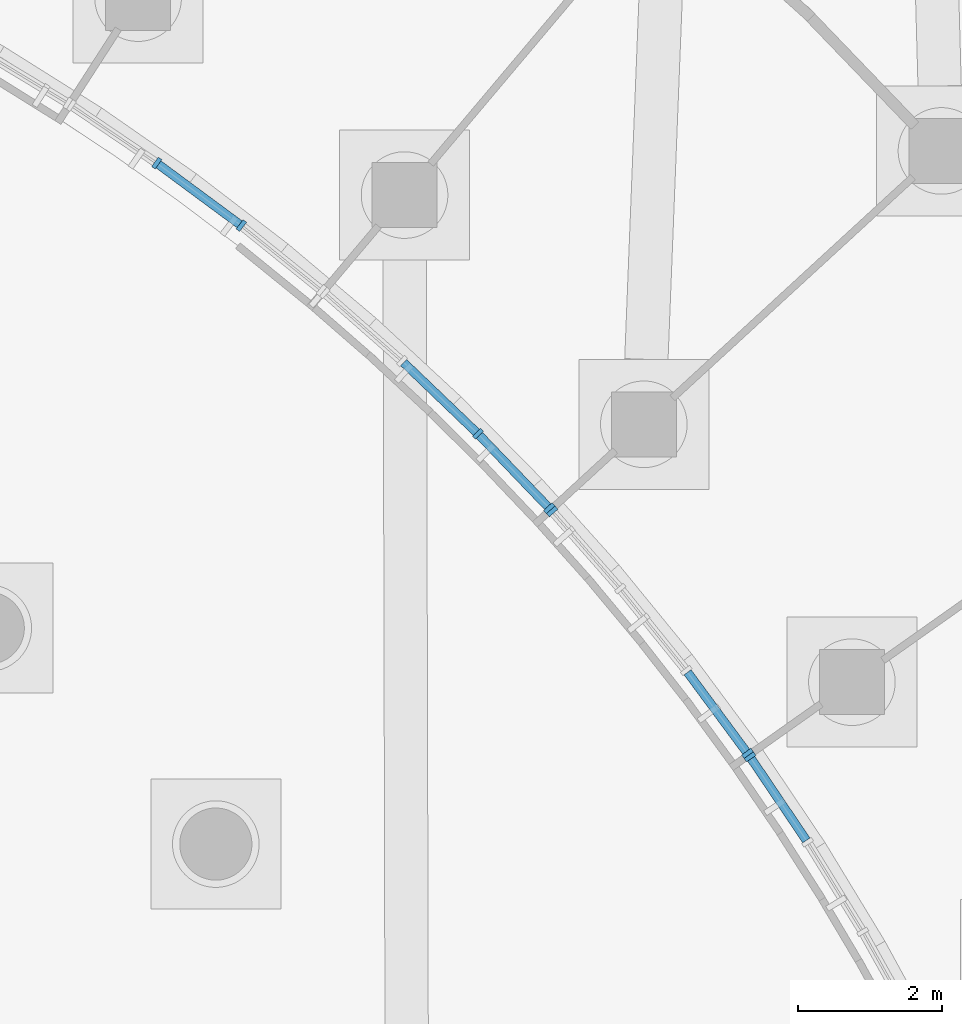
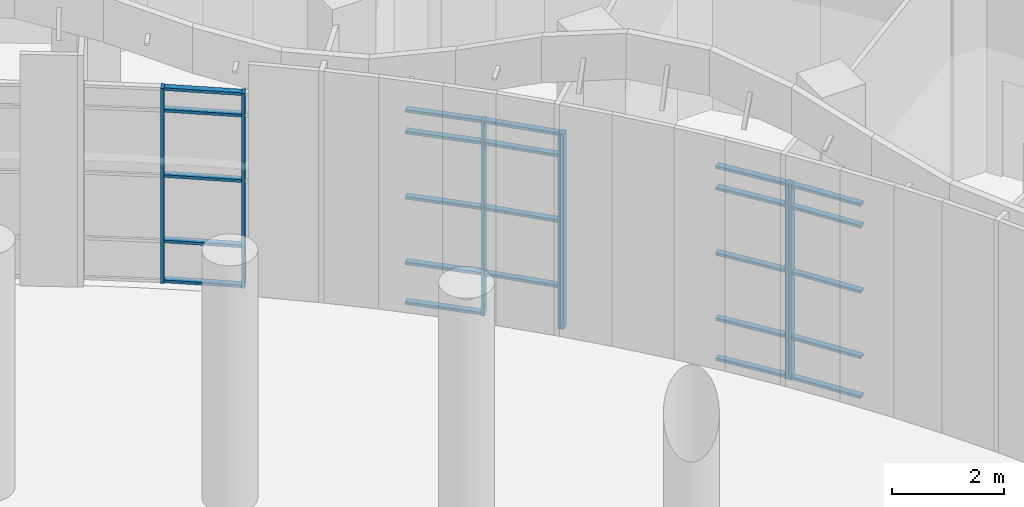
# One storey, part 32 of 146: 31 members, 4 elements without a shape of their own.
"""IFC4 building model written with IfcOpenShell, lengths in metres."""

from ifc_helpers import new_model, si_unit, direction, frame, origin, origin_2d, place, context, subcontext, project, spatial, rectangle, extrude, material, material_profile, profile_set, type_object, element, aggregate, save


model = new_model("IFC4")

# Units and contexts
model_context = context("Model", 3, precision=1e-05, world=origin(), true_north=direction((0.0, 1.0)))
body_context = subcontext(model_context, "Body", "Model", "MODEL_VIEW")
ifc_project = project(units=[si_unit("LENGTHUNIT", "METRE"), si_unit("AREAUNIT", "SQUARE_METRE"), si_unit("VOLUMEUNIT", "CUBIC_METRE"), si_unit("PLANEANGLEUNIT", "RADIAN"), si_unit("MASSUNIT", "GRAM", prefix="KILO")], contexts=[model_context])

# Site, building, storey
site_placement = place(None, origin())
site = spatial("IfcSite", under=ifc_project, at=site_placement, CompositionType="ELEMENT")
building_placement = place(site_placement, origin())
building = spatial("IfcBuilding", under=site, at=building_placement, Name="Bougainvillea Quay General Hospital", CompositionType="ELEMENT")
storey_placement = place(building_placement, origin())
storey = spatial("IfcBuildingStorey", under=building, at=storey_placement, Name="L00", CompositionType="ELEMENT", Elevation=0.0)

# Curtain wall, members
ifc_material_1 = material(Name="Aluminium curtain wall system, powder-coated glazed", Category="aluminium")
curtain_wall_type = type_object("IfcCurtainWallType", Name="Unitised curtain wall CW-2100", PredefinedType="NOTDEFINED", material=ifc_material_1)
curtain_wall_1_placement = place(storey_placement, origin())
curtain_wall_1 = element("IfcCurtainWall", 1, at=curtain_wall_1_placement, inside=storey, type_object=curtain_wall_type, Name="CW-E02 a21b1", PredefinedType="NOTDEFINED")
ifc_material_2 = material(Name="Aluminium mullion, powder-coated charcoal", Category="aluminium")
ifc_material_profile_1 = material_profile(ifc_material_2, rectangle(XDim=0.159912109375, YDim=0.06005859375, at=origin_2d()))
ifc_profile_set_1 = profile_set([ifc_material_profile_1], Name="Aluminium mullion, powder-coated charcoal")
member_type_1 = type_object("IfcMemberType", Name="Curtain wall mullion 160x60", PredefinedType="MULLION", material=ifc_profile_set_1)
member_1_placement = place(storey_placement, frame((128.966796875, 49.97021484375, 0.0), z_axis=(0.0, 0.0, 1.0), x_axis=(0.577135687937, 0.816648270499, 0.0)))
member_1 = element("IfcMember", 2, at=member_1_placement, type_object=member_type_1, Name="CW-E02 mullion 2", PredefinedType="MULLION", context=body_context, shape_type="SweptSolid", body=[
    extrude(rectangle(XDim=0.159912109375, YDim=0.06005859375, at=origin_2d()), origin(), (0.0, 0.0, 1.0), 4.25),
])
member_2_placement = place(storey_placement, frame((130.138427734375, 49.104248046875, 0.0), z_axis=(0.0, 0.0, 1.0), x_axis=(0.611342897557, 0.791365820343, 0.0)))
member_2 = element("IfcMember", 3, at=member_2_placement, type_object=member_type_1, Name="CW-E02 mullion 3", PredefinedType="MULLION", context=body_context, shape_type="SweptSolid", body=[
    extrude(rectangle(XDim=0.159912109375, YDim=0.06005859375, at=origin_2d()), origin(), (0.0, 0.0, 1.0), 4.25),
])

curtain_wall_2_placement = place(storey_placement, origin())
curtain_wall_2 = element("IfcCurtainWall", 4, at=curtain_wall_2_placement, inside=storey, type_object=curtain_wall_type, Name="CW-E03 a21b2", PredefinedType="NOTDEFINED")
member_3_placement = place(storey_placement, frame((133.417724609375, 46.218994140625, 0.0), z_axis=(0.0, 0.0, 1.0), x_axis=(0.707090325877, 0.707123236113, 0.0)))
member_3 = element("IfcMember", 5, at=member_3_placement, type_object=member_type_1, Name="CW-E03 mullion 3", PredefinedType="MULLION", context=body_context, shape_type="SweptSolid", body=[
    extrude(rectangle(XDim=0.159912109375, YDim=0.06005859375, at=origin_2d()), origin(), (0.0, 0.0, 1.0), 4.25),
])
member_4_placement = place(storey_placement, frame((134.405029296875, 45.188720703125, 0.0), z_axis=(0.0, 0.0, 1.0), x_axis=(0.721969584803, 0.691924792604, 0.0)))
member_4 = element("IfcMember", 6, at=member_4_placement, type_object=member_type_1, Name="CW-E03 mullion 4", PredefinedType="MULLION", context=body_context, shape_type="SweptSolid", body=[
    extrude(rectangle(XDim=0.159912109375, YDim=0.06005859375, at=origin_2d()), origin(), (0.0, 0.0, 1.0), 4.25),
])

curtain_wall_3_placement = place(storey_placement, origin())
curtain_wall_3 = element("IfcCurtainWall", 7, at=curtain_wall_3_placement, inside=storey, type_object=curtain_wall_type, Name="CW-E04 a21b3", PredefinedType="NOTDEFINED")
member_5_placement = place(storey_placement, frame((134.445556640625, 45.14453125, 0.0), z_axis=(0.0, 0.0, 1.0), x_axis=(0.750741694576, 0.660595873455, 0.0)))
member_5 = element("IfcMember", 8, at=member_5_placement, type_object=member_type_1, Name="CW-E04 mullion 1", PredefinedType="MULLION", context=body_context, shape_type="SweptSolid", body=[
    extrude(rectangle(XDim=0.159912109375, YDim=0.06005859375, at=origin_2d()), origin(), (0.0, 0.0, 1.0), 4.25),
])
member_6_placement = place(storey_placement, frame((137.1513671875, 41.792236328125, 0.0), z_axis=(0.0, 0.0, 1.0), x_axis=(0.804161282658, 0.594411163652, 0.0)))
member_6 = element("IfcMember", 9, at=member_6_placement, type_object=member_type_1, Name="CW-E04 mullion 4", PredefinedType="MULLION", context=body_context, shape_type="SweptSolid", body=[
    extrude(rectangle(XDim=0.159912109375, YDim=0.06005859375, at=origin_2d()), origin(), (0.0, 0.0, 1.0), 4.25),
])

# Curtain wall, member
curtain_wall_4_placement = place(storey_placement, origin())
curtain_wall_4 = element("IfcCurtainWall", 10, at=curtain_wall_4_placement, inside=storey, type_object=curtain_wall_type, Name="CW-E05 a21b4", PredefinedType="NOTDEFINED")
member_7_placement = place(storey_placement, frame((137.18603515625, 41.743408203125, 0.0), z_axis=(0.0, 0.0, 1.0), x_axis=(0.828712107033, 0.559675123314, 0.0)))
member_7 = element("IfcMember", 11, at=member_7_placement, type_object=member_type_1, Name="CW-E05 mullion 1", PredefinedType="MULLION", context=body_context, shape_type="SweptSolid", body=[
    extrude(rectangle(XDim=0.159912109375, YDim=0.06005859375, at=origin_2d()), origin(), (0.0, 0.0, 1.0), 4.25),
])

# Member
ifc_material_3 = material(Name="Aluminium transom, powder-coated charcoal", Category="aluminium")
ifc_material_profile_2 = material_profile(ifc_material_3, rectangle(XDim=0.1201171875, YDim=0.06005859375, at=origin_2d()))
ifc_profile_set_2 = profile_set([ifc_material_profile_2], Name="Aluminium transom, powder-coated charcoal")
member_type_2 = type_object("IfcMemberType", Name="Curtain wall transom 120x60", PredefinedType="USERDEFINED", material=ifc_profile_set_2)
member_8_placement = place(storey_placement, frame((128.990966796875, 49.952392578125, 0.030029296875), z_axis=(0.804154347071, -0.594420546488, 0.0), x_axis=(0.594420546488, 0.804154347071, 0.0)))
member_8 = element("IfcMember", 12, at=member_8_placement, type_object=member_type_2, Name="CW-E02 transom 2.1", ObjectType="TRANSOM", PredefinedType="USERDEFINED", context=body_context, shape_type="SweptSolid", body=[
    extrude(rectangle(XDim=0.1201171875, YDim=0.06005859375, at=origin_2d()), origin(), (0.0, 0.0, 1.0), 1.39697265625),
])

member_9_placement = place(storey_placement, frame((128.990966796875, 49.952392578125, 0.89990234375), z_axis=(0.804154347071, -0.594420546488, 0.0), x_axis=(0.594420546488, 0.804154347071, 0.0)))
member_9 = element("IfcMember", 13, at=member_9_placement, type_object=member_type_2, Name="CW-E02 transom 2.2", ObjectType="TRANSOM", PredefinedType="USERDEFINED", context=body_context, shape_type="SweptSolid", body=[
    extrude(rectangle(XDim=0.1201171875, YDim=0.06005859375, at=origin_2d()), origin(), (0.0, 0.0, 1.0), 1.39697265625),
])

member_10_placement = place(storey_placement, frame((128.990966796875, 49.952392578125, 2.324951171875), z_axis=(0.804154347071, -0.594420546488, 0.0), x_axis=(0.594420546488, 0.804154347071, 0.0)))
member_10 = element("IfcMember", 14, at=member_10_placement, type_object=member_type_2, Name="CW-E02 transom 2.3", ObjectType="TRANSOM", PredefinedType="USERDEFINED", context=body_context, shape_type="SweptSolid", body=[
    extrude(rectangle(XDim=0.1201171875, YDim=0.06005859375, at=origin_2d()), origin(), (0.0, 0.0, 1.0), 1.39697265625),
])

member_11_placement = place(storey_placement, frame((128.990966796875, 49.952392578125, 3.75), z_axis=(0.804154347071, -0.594420546488, 0.0), x_axis=(0.594420546488, 0.804154347071, 0.0)))
member_11 = element("IfcMember", 15, at=member_11_placement, type_object=member_type_2, Name="CW-E02 transom 2.4", ObjectType="TRANSOM", PredefinedType="USERDEFINED", context=body_context, shape_type="SweptSolid", body=[
    extrude(rectangle(XDim=0.1201171875, YDim=0.06005859375, at=origin_2d()), origin(), (0.0, 0.0, 1.0), 1.39697265625),
])

member_12_placement = place(storey_placement, frame((128.990966796875, 49.952392578125, 4.219970703125), z_axis=(0.804154347071, -0.594420546488, 0.0), x_axis=(0.594420546488, 0.804154347071, 0.0)))
member_12 = element("IfcMember", 16, at=member_12_placement, type_object=member_type_2, Name="CW-E02 transom 2.5", ObjectType="TRANSOM", PredefinedType="USERDEFINED", context=body_context, shape_type="SweptSolid", body=[
    extrude(rectangle(XDim=0.1201171875, YDim=0.06005859375, at=origin_2d()), origin(), (0.0, 0.0, 1.0), 1.39697265625),
])

aggregate(curtain_wall_1, [member_1, member_2, member_8, member_9, member_10, member_11, member_12])

member_13_placement = place(storey_placement, frame((132.3876953125, 47.2060546875, 0.030029296875), z_axis=(0.722064602887, -0.69182563501, 0.0), x_axis=(0.69182563501, 0.722064602887, 0.0)))
member_13 = element("IfcMember", 17, at=member_13_placement, type_object=member_type_2, Name="CW-E03 transom 2.1", ObjectType="TRANSOM", PredefinedType="USERDEFINED", context=body_context, shape_type="SweptSolid", body=[
    extrude(rectangle(XDim=0.1201171875, YDim=0.06005859375, at=origin_2d()), origin(), (0.0, 0.0, 1.0), 1.396728515625),
])

member_14_placement = place(storey_placement, frame((132.3876953125, 47.2060546875, 0.89990234375), z_axis=(0.722064602887, -0.69182563501, 0.0), x_axis=(0.69182563501, 0.722064602887, 0.0)))
member_14 = element("IfcMember", 18, at=member_14_placement, type_object=member_type_2, Name="CW-E03 transom 2.2", ObjectType="TRANSOM", PredefinedType="USERDEFINED", context=body_context, shape_type="SweptSolid", body=[
    extrude(rectangle(XDim=0.1201171875, YDim=0.06005859375, at=origin_2d()), origin(), (0.0, 0.0, 1.0), 1.396728515625),
])

member_15_placement = place(storey_placement, frame((132.3876953125, 47.2060546875, 2.324951171875), z_axis=(0.722064602887, -0.69182563501, 0.0), x_axis=(0.69182563501, 0.722064602887, 0.0)))
member_15 = element("IfcMember", 19, at=member_15_placement, type_object=member_type_2, Name="CW-E03 transom 2.3", ObjectType="TRANSOM", PredefinedType="USERDEFINED", context=body_context, shape_type="SweptSolid", body=[
    extrude(rectangle(XDim=0.1201171875, YDim=0.06005859375, at=origin_2d()), origin(), (0.0, 0.0, 1.0), 1.396728515625),
])

member_16_placement = place(storey_placement, frame((132.3876953125, 47.2060546875, 3.75), z_axis=(0.722064602887, -0.69182563501, 0.0), x_axis=(0.69182563501, 0.722064602887, 0.0)))
member_16 = element("IfcMember", 20, at=member_16_placement, type_object=member_type_2, Name="CW-E03 transom 2.4", ObjectType="TRANSOM", PredefinedType="USERDEFINED", context=body_context, shape_type="SweptSolid", body=[
    extrude(rectangle(XDim=0.1201171875, YDim=0.06005859375, at=origin_2d()), origin(), (0.0, 0.0, 1.0), 1.396728515625),
])

member_17_placement = place(storey_placement, frame((132.3876953125, 47.2060546875, 4.219970703125), z_axis=(0.722064602887, -0.69182563501, 0.0), x_axis=(0.69182563501, 0.722064602887, 0.0)))
member_17 = element("IfcMember", 21, at=member_17_placement, type_object=member_type_2, Name="CW-E03 transom 2.5", ObjectType="TRANSOM", PredefinedType="USERDEFINED", context=body_context, shape_type="SweptSolid", body=[
    extrude(rectangle(XDim=0.1201171875, YDim=0.06005859375, at=origin_2d()), origin(), (0.0, 0.0, 1.0), 1.396728515625),
])

member_18_placement = place(storey_placement, frame((133.4384765625, 46.197265625, 0.89990234375), z_axis=(0.691944155864, -0.721951026847, 0.0), x_axis=(0.721951026847, 0.691944155864, 0.0)))
member_18 = element("IfcMember", 22, at=member_18_placement, type_object=member_type_2, Name="CW-E03 transom 3.2", ObjectType="TRANSOM", PredefinedType="USERDEFINED", context=body_context, shape_type="SweptSolid", body=[
    extrude(rectangle(XDim=0.1201171875, YDim=0.06005859375, at=origin_2d()), origin(), (0.0, 0.0, 1.0), 1.366943359375),
])

member_19_placement = place(storey_placement, frame((133.4384765625, 46.197265625, 2.324951171875), z_axis=(0.691944155864, -0.721951026847, 0.0), x_axis=(0.721951026847, 0.691944155864, 0.0)))
member_19 = element("IfcMember", 23, at=member_19_placement, type_object=member_type_2, Name="CW-E03 transom 3.3", ObjectType="TRANSOM", PredefinedType="USERDEFINED", context=body_context, shape_type="SweptSolid", body=[
    extrude(rectangle(XDim=0.1201171875, YDim=0.06005859375, at=origin_2d()), origin(), (0.0, 0.0, 1.0), 1.366943359375),
])

member_20_placement = place(storey_placement, frame((133.4384765625, 46.197265625, 3.75), z_axis=(0.691944155864, -0.721951026847, 0.0), x_axis=(0.721951026847, 0.691944155864, 0.0)))
member_20 = element("IfcMember", 24, at=member_20_placement, type_object=member_type_2, Name="CW-E03 transom 3.4", ObjectType="TRANSOM", PredefinedType="USERDEFINED", context=body_context, shape_type="SweptSolid", body=[
    extrude(rectangle(XDim=0.1201171875, YDim=0.06005859375, at=origin_2d()), origin(), (0.0, 0.0, 1.0), 1.366943359375),
])

member_21_placement = place(storey_placement, frame((133.4384765625, 46.197265625, 4.219970703125), z_axis=(0.691944155864, -0.721951026847, 0.0), x_axis=(0.721951026847, 0.691944155864, 0.0)))
member_21 = element("IfcMember", 25, at=member_21_placement, type_object=member_type_2, Name="CW-E03 transom 3.5", ObjectType="TRANSOM", PredefinedType="USERDEFINED", context=body_context, shape_type="SweptSolid", body=[
    extrude(rectangle(XDim=0.1201171875, YDim=0.06005859375, at=origin_2d()), origin(), (0.0, 0.0, 1.0), 1.366943359375),
])

aggregate(curtain_wall_2, [member_3, member_4, member_13, member_14, member_15, member_16, member_17, member_18, member_19, member_20, member_21])

member_22_placement = place(storey_placement, frame((136.321044921875, 42.91552734375, 0.030029296875), z_axis=(0.594441282639, -0.804139018762, 0.0), x_axis=(0.804139018762, 0.594441282639, 0.0)))
member_22 = element("IfcMember", 26, at=member_22_placement, type_object=member_type_2, Name="CW-E04 transom 3.1", ObjectType="TRANSOM", PredefinedType="USERDEFINED", context=body_context, shape_type="SweptSolid", body=[
    extrude(rectangle(XDim=0.1201171875, YDim=0.06005859375, at=origin_2d()), origin(), (0.0, 0.0, 1.0), 1.366943359375),
])

member_23_placement = place(storey_placement, frame((136.321044921875, 42.91552734375, 0.89990234375), z_axis=(0.594441282639, -0.804139018762, 0.0), x_axis=(0.804139018762, 0.594441282639, 0.0)))
member_23 = element("IfcMember", 27, at=member_23_placement, type_object=member_type_2, Name="CW-E04 transom 3.2", ObjectType="TRANSOM", PredefinedType="USERDEFINED", context=body_context, shape_type="SweptSolid", body=[
    extrude(rectangle(XDim=0.1201171875, YDim=0.06005859375, at=origin_2d()), origin(), (0.0, 0.0, 1.0), 1.366943359375),
])

member_24_placement = place(storey_placement, frame((136.321044921875, 42.91552734375, 2.324951171875), z_axis=(0.594441282639, -0.804139018762, 0.0), x_axis=(0.804139018762, 0.594441282639, 0.0)))
member_24 = element("IfcMember", 28, at=member_24_placement, type_object=member_type_2, Name="CW-E04 transom 3.3", ObjectType="TRANSOM", PredefinedType="USERDEFINED", context=body_context, shape_type="SweptSolid", body=[
    extrude(rectangle(XDim=0.1201171875, YDim=0.06005859375, at=origin_2d()), origin(), (0.0, 0.0, 1.0), 1.366943359375),
])

member_25_placement = place(storey_placement, frame((136.321044921875, 42.91552734375, 3.75), z_axis=(0.594441282639, -0.804139018762, 0.0), x_axis=(0.804139018762, 0.594441282639, 0.0)))
member_25 = element("IfcMember", 29, at=member_25_placement, type_object=member_type_2, Name="CW-E04 transom 3.4", ObjectType="TRANSOM", PredefinedType="USERDEFINED", context=body_context, shape_type="SweptSolid", body=[
    extrude(rectangle(XDim=0.1201171875, YDim=0.06005859375, at=origin_2d()), origin(), (0.0, 0.0, 1.0), 1.366943359375),
])

member_26_placement = place(storey_placement, frame((136.321044921875, 42.91552734375, 4.219970703125), z_axis=(0.594441282639, -0.804139018762, 0.0), x_axis=(0.804139018762, 0.594441282639, 0.0)))
member_26 = element("IfcMember", 30, at=member_26_placement, type_object=member_type_2, Name="CW-E04 transom 3.5", ObjectType="TRANSOM", PredefinedType="USERDEFINED", context=body_context, shape_type="SweptSolid", body=[
    extrude(rectangle(XDim=0.1201171875, YDim=0.06005859375, at=origin_2d()), origin(), (0.0, 0.0, 1.0), 1.366943359375),
])

aggregate(curtain_wall_3, [member_5, member_6, member_22, member_23, member_24, member_25, member_26])

member_27_placement = place(storey_placement, frame((137.202880859375, 41.718505859375, 0.030029296875), z_axis=(0.559595554462, -0.828765838718, 0.0), x_axis=(0.828765838718, 0.559595554462, 0.0)))
member_27 = element("IfcMember", 31, at=member_27_placement, type_object=member_type_2, Name="CW-E05 transom 1.1", ObjectType="TRANSOM", PredefinedType="USERDEFINED", context=body_context, shape_type="SweptSolid", body=[
    extrude(rectangle(XDim=0.1201171875, YDim=0.06005859375, at=origin_2d()), origin(), (0.0, 0.0, 1.0), 1.366943359375),
])

member_28_placement = place(storey_placement, frame((137.202880859375, 41.718505859375, 0.89990234375), z_axis=(0.559595554462, -0.828765838718, 0.0), x_axis=(0.828765838718, 0.559595554462, 0.0)))
member_28 = element("IfcMember", 32, at=member_28_placement, type_object=member_type_2, Name="CW-E05 transom 1.2", ObjectType="TRANSOM", PredefinedType="USERDEFINED", context=body_context, shape_type="SweptSolid", body=[
    extrude(rectangle(XDim=0.1201171875, YDim=0.06005859375, at=origin_2d()), origin(), (0.0, 0.0, 1.0), 1.366943359375),
])

member_29_placement = place(storey_placement, frame((137.202880859375, 41.718505859375, 2.324951171875), z_axis=(0.559595554462, -0.828765838718, 0.0), x_axis=(0.828765838718, 0.559595554462, 0.0)))
member_29 = element("IfcMember", 33, at=member_29_placement, type_object=member_type_2, Name="CW-E05 transom 1.3", ObjectType="TRANSOM", PredefinedType="USERDEFINED", context=body_context, shape_type="SweptSolid", body=[
    extrude(rectangle(XDim=0.1201171875, YDim=0.06005859375, at=origin_2d()), origin(), (0.0, 0.0, 1.0), 1.366943359375),
])

member_30_placement = place(storey_placement, frame((137.202880859375, 41.718505859375, 3.75), z_axis=(0.559595554462, -0.828765838718, 0.0), x_axis=(0.828765838718, 0.559595554462, 0.0)))
member_30 = element("IfcMember", 34, at=member_30_placement, type_object=member_type_2, Name="CW-E05 transom 1.4", ObjectType="TRANSOM", PredefinedType="USERDEFINED", context=body_context, shape_type="SweptSolid", body=[
    extrude(rectangle(XDim=0.1201171875, YDim=0.06005859375, at=origin_2d()), origin(), (0.0, 0.0, 1.0), 1.366943359375),
])

member_31_placement = place(storey_placement, frame((137.202880859375, 41.718505859375, 4.219970703125), z_axis=(0.559595554462, -0.828765838718, 0.0), x_axis=(0.828765838718, 0.559595554462, 0.0)))
member_31 = element("IfcMember", 35, at=member_31_placement, type_object=member_type_2, Name="CW-E05 transom 1.5", ObjectType="TRANSOM", PredefinedType="USERDEFINED", context=body_context, shape_type="SweptSolid", body=[
    extrude(rectangle(XDim=0.1201171875, YDim=0.06005859375, at=origin_2d()), origin(), (0.0, 0.0, 1.0), 1.366943359375),
])

aggregate(curtain_wall_4, [member_7, member_27, member_28, member_29, member_30, member_31])

save(model, "model.ifc")
